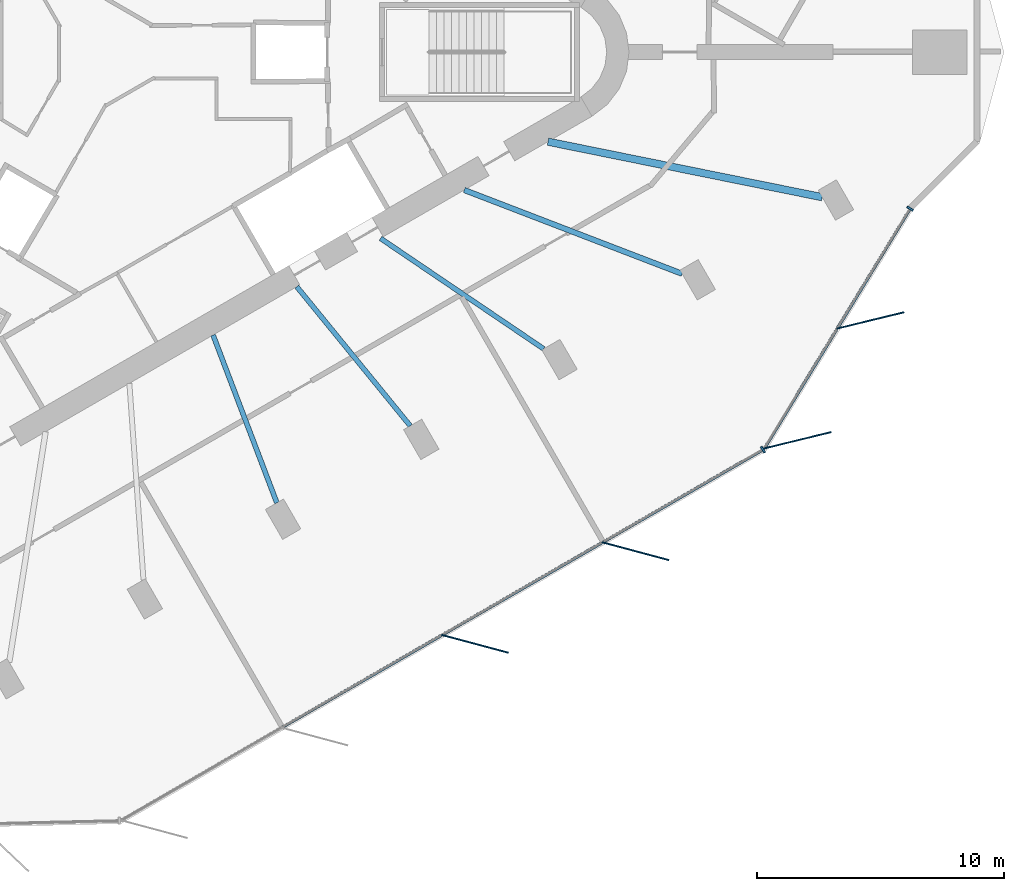
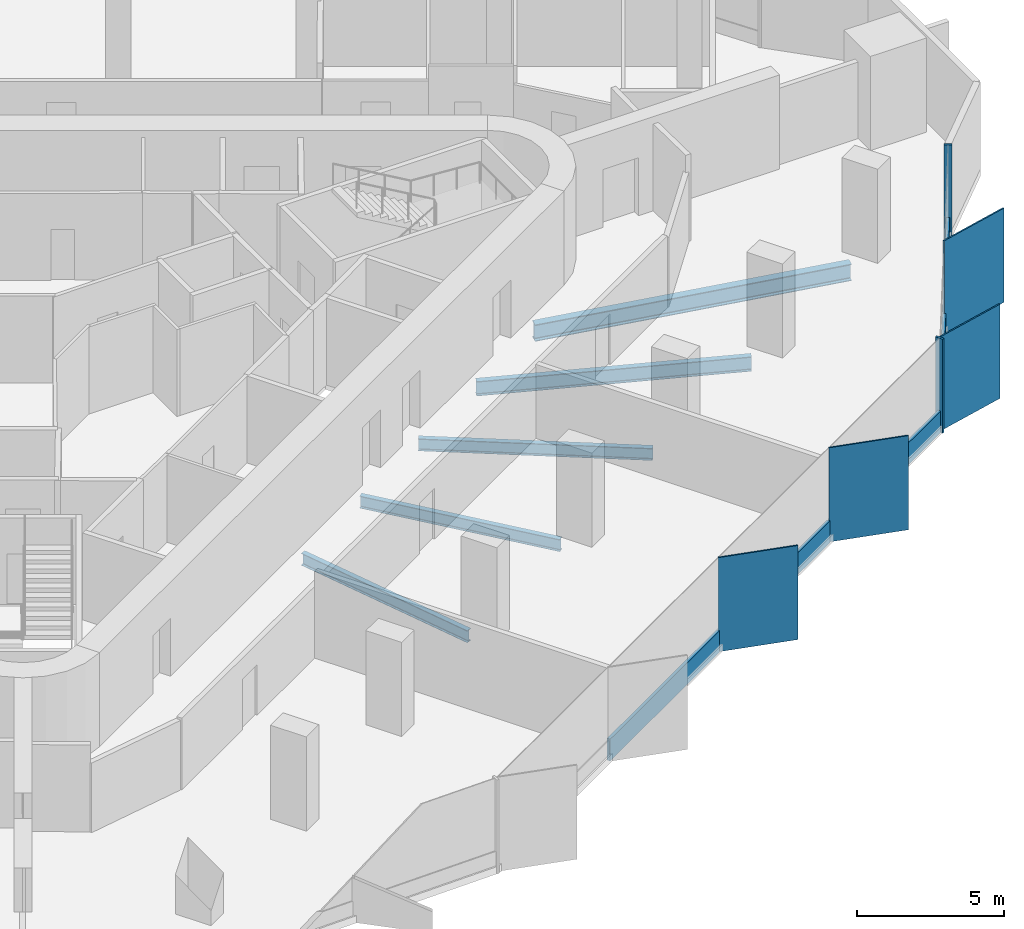
# One storey, part 3 of 12: 11 members, 5 beams, 2 elements without a shape of their own.
"""IFC4 building model written with IfcOpenShell, lengths in metres."""

from ifc_helpers import new_model, si_unit, direction, frame, origin, origin_2d, place, context, subcontext, project, spatial, rectangle, i_section, extrude, material, material_profile, profile_set, type_object, element, aggregate, save


model = new_model("IFC4")

# Units and contexts
model_context = context("Model", 3, precision=1e-05, world=origin(), true_north=direction((0.0, 1.0)))
body_context = subcontext(model_context, "Body", "Model", "MODEL_VIEW")
ifc_project = project(units=[si_unit("LENGTHUNIT", "METRE"), si_unit("AREAUNIT", "SQUARE_METRE"), si_unit("VOLUMEUNIT", "CUBIC_METRE"), si_unit("PLANEANGLEUNIT", "RADIAN"), si_unit("MASSUNIT", "GRAM", prefix="KILO")], contexts=[model_context])

# Site, building, storey
site_placement = place(None, origin())
site = spatial("IfcSite", under=ifc_project, at=site_placement, CompositionType="ELEMENT")
building_placement = place(site_placement, origin())
building = spatial("IfcBuilding", under=site, at=building_placement, Name="Tanit Gate Tower", CompositionType="ELEMENT")
storey_placement = place(building_placement, frame((0.0, 0.0, 341.60009765625)))
storey = spatial("IfcBuildingStorey", under=building, at=storey_placement, Name="L77", CompositionType="ELEMENT", Elevation=341.60009765625)

# Curtain wall, members
ifc_material_1 = material(Name="Aluminium bronze anodised and glass", Category="aluminium")
curtain_wall_type = type_object("IfcCurtainWallType", Name="Curtain wall typical high", PredefinedType="NOTDEFINED", material=ifc_material_1)
curtain_wall_1_placement = place(storey_placement, origin())
curtain_wall_1 = element("IfcCurtainWall", 1, at=curtain_wall_1_placement, inside=storey, type_object=curtain_wall_type, Name="Curtain wall L77 SE2", PredefinedType="NOTDEFINED")
ifc_material_2 = material(Name="Aluminium bronze anodised", Category="aluminium")
ifc_material_profile_1 = material_profile(ifc_material_2, rectangle(XDim=2.800048828125, YDim=0.055908203125, at=origin_2d()), Name="56x2800 bronze fin mullion")
ifc_profile_set_1 = profile_set([ifc_material_profile_1], Name="Aluminium bronze anodised")
member_type_1 = type_object("IfcMemberType", Name="FIN MULLION 56x2800 bronze", PredefinedType="MULLION", material=ifc_profile_set_1)
member_1_placement = place(storey_placement, frame((14.9619140625, -23.963134765625, -0.300048828125), z_axis=(0.0, 0.0, 1.0), x_axis=(-0.965907877772, 0.258886020591, 0.0)))
member_1 = element("IfcMember", 2, at=member_1_placement, type_object=member_type_1, Name="Fin mullion L77 SE2.3", PredefinedType="MULLION", context=body_context, shape_type="SweptSolid", body=[
    extrude(rectangle(XDim=2.800048828125, YDim=0.055908203125, at=origin_2d()), origin(), (0.0, 0.0, 1.0), 3.89990234375),
])
member_2_placement = place(storey_placement, frame((21.4609375, -20.211669921875, -0.300048828125), z_axis=(0.0, 0.0, 1.0), x_axis=(-0.965907877772, 0.258886020591, 0.0)))
member_2 = element("IfcMember", 3, at=member_2_placement, type_object=member_type_1, Name="Fin mullion L77 SE2.4", PredefinedType="MULLION", context=body_context, shape_type="SweptSolid", body=[
    extrude(rectangle(XDim=2.800048828125, YDim=0.055908203125, at=origin_2d()), origin(), (0.0, 0.0, 1.0), 3.89990234375),
])

curtain_wall_2_placement = place(storey_placement, origin())
curtain_wall_2 = element("IfcCurtainWall", 4, at=curtain_wall_2_placement, inside=storey, type_object=curtain_wall_type, Name="Curtain wall L77 SE3", PredefinedType="NOTDEFINED")
member_3_placement = place(storey_placement, frame((28.023193359375, -15.721923828125, -0.300048828125), z_axis=(0.0, 0.0, 1.0), x_axis=(-0.971594708401, -0.236651056638, 0.0)))
member_3 = element("IfcMember", 5, at=member_3_placement, type_object=member_type_1, Name="Fin mullion L77 SE3.1", PredefinedType="MULLION", context=body_context, shape_type="SweptSolid", body=[
    extrude(rectangle(XDim=2.800048828125, YDim=0.055908203125, at=origin_2d()), origin(), (0.0, 0.0, 1.0), 3.89990234375),
])
member_4_placement = place(storey_placement, frame((30.9755859375, -10.867919921875, -0.300048828125), z_axis=(0.0, 0.0, 1.0), x_axis=(-0.971594708401, -0.236651056638, 0.0)))
member_4 = element("IfcMember", 6, at=member_4_placement, type_object=member_type_1, Name="Fin mullion L77 SE3.2", PredefinedType="MULLION", context=body_context, shape_type="SweptSolid", body=[
    extrude(rectangle(XDim=2.800048828125, YDim=0.055908203125, at=origin_2d()), origin(), (0.0, 0.0, 1.0), 3.89990234375),
])

# Member
ifc_material_3 = material(Name="Aluminium bronze anodised", Category="aluminium")
ifc_material_profile_2 = material_profile(ifc_material_3, rectangle(XDim=0.280029296875, YDim=0.080078125, at=origin_2d()), Name="80x280 bronze mullion")
ifc_profile_set_2 = profile_set([ifc_material_profile_2], Name="Aluminium bronze anodised")
member_type_2 = type_object("IfcMemberType", Name="Mullion 80x280 typical high", PredefinedType="MULLION", material=ifc_profile_set_2)
member_5_placement = place(storey_placement, frame((26.626708984375, -16.102783203125, -0.300048828125), z_axis=(0.0, 0.0, 1.0), x_axis=(-0.49993994966, 0.866060071089, 0.0)))
member_5 = element("IfcMember", 7, at=member_5_placement, type_object=member_type_2, Name="Mullion L77 SE2.5", PredefinedType="MULLION", context=body_context, shape_type="SweptSolid", body=[
    extrude(rectangle(XDim=0.280029296875, YDim=0.080078125, at=origin_2d()), origin(), (0.0, 0.0, 1.0), 3.89990234375),
])

member_6_placement = place(storey_placement, frame((32.587158203125, -6.340576171875, -0.300048828125), z_axis=(0.0, 0.0, 1.0), x_axis=(-0.854358773799, 0.519683639951, 0.0)))
member_6 = element("IfcMember", 8, at=member_6_placement, type_object=member_type_2, Name="Mullion L77 SE3.3", PredefinedType="MULLION", context=body_context, shape_type="SweptSolid", body=[
    extrude(rectangle(XDim=0.280029296875, YDim=0.080078125, at=origin_2d()), origin(), (0.0, 0.0, 1.0), 3.89990234375),
])

# Beams
ifc_material_4 = material(Name="Steel S355", Category="steel")
ifc_material_profile_3 = material_profile(ifc_material_4, i_section(OverallWidth=0.300048828125, OverallDepth=0.68994140625, WebThickness=0.014404296875, FlangeThickness=0.027099609375, FilletRadius=0.027099609375, at=origin_2d()), Name="HEA 700")
ifc_profile_set_3 = profile_set([ifc_material_profile_3], Name="Steel S355")
beam_type_1 = type_object("IfcBeamType", Name="RADIAL GIRDER HEA 700 S355", PredefinedType="BEAM", material=ifc_profile_set_3)
beam_1_placement = place(storey_placement, frame((29.02587890625, -5.876953125, -0.64501953125), z_axis=(-0.980109678628, 0.198456589357, 0.0), x_axis=(-0.198456589357, -0.980109678628, 0.0)))
element("IfcBeam", 9, at=beam_1_placement, inside=storey, type_object=beam_type_1, Name="RADIAL GIRDER", PredefinedType="BEAM", context=body_context, shape_type="SweptSolid", body=[
    extrude(i_section(OverallWidth=0.300048828125, OverallDepth=0.68994140625, WebThickness=0.014404296875, FlangeThickness=0.027099609375, FilletRadius=0.027099609375, at=origin_2d()), origin(), (0.0, 0.0, 1.0), 11.331298828125),
])
ifc_material_5 = material(Name="Steel S355", Category="steel")
ifc_material_profile_4 = material_profile(ifc_material_5, i_section(OverallWidth=0.199951171875, OverallDepth=0.5, WebThickness=0.01025390625, FlangeThickness=0.01611328125, FilletRadius=0.02099609375, at=origin_2d()), Name="IPE 500")
ifc_profile_set_4 = profile_set([ifc_material_profile_4], Name="Steel S355")
beam_type_2 = type_object("IfcBeamType", Name="RADIAL GIRDER IPE 500 S355", PredefinedType="BEAM", material=ifc_profile_set_4)
for number, where, z_axis, x_axis, name in (
    (10, (6.93798828125, -18.25439453125, -0.550048828125), (-0.355282914481, 0.934758819524, 0.0), (-0.934758819524, -0.355282914481, 0.0), "RADIAL GIRDER"),
    (11, (12.339599609375, -15.135498046875, -0.550048828125), (-0.631881514108, 0.775064998648, 0.0), (-0.775064998648, -0.631881514108, 0.0), "RADIAL GIRDER"),
):
    element("IfcBeam", number, at=place(storey_placement, frame(where, z_axis=z_axis, x_axis=x_axis)), inside=storey, type_object=beam_type_2, Name=name, PredefinedType="BEAM", context=body_context, shape_type="SweptSolid", body=[
        extrude(i_section(OverallWidth=0.199951171875, OverallDepth=0.5, WebThickness=0.01025390625, FlangeThickness=0.01611328125, FilletRadius=0.02099609375, at=origin_2d()), origin(), (0.0, 0.0, 1.0), 7.268798828125),
    ])
beam_2_placement = place(storey_placement, frame((17.741455078125, -12.016845703125, -0.550048828125), z_axis=(-0.827954450749, 0.560795352589, 0.0), x_axis=(-0.560795352589, -0.827954450749, 0.0)))
element("IfcBeam", 12, at=beam_2_placement, inside=storey, type_object=beam_type_2, Name="RADIAL GIRDER", PredefinedType="BEAM", context=body_context, shape_type="SweptSolid", body=[
    extrude(i_section(OverallWidth=0.199951171875, OverallDepth=0.5, WebThickness=0.01025390625, FlangeThickness=0.01611328125, FilletRadius=0.02099609375, at=origin_2d()), origin(), (0.0, 0.0, 1.0), 7.97607421875),
])
ifc_material_6 = material(Name="Steel S355", Category="steel")
ifc_material_profile_5 = material_profile(ifc_material_6, i_section(OverallWidth=0.219970703125, OverallDepth=0.60009765625, WebThickness=0.011962890625, FlangeThickness=0.01904296875, FilletRadius=0.02392578125, at=origin_2d()), Name="IPE 600")
ifc_profile_set_5 = profile_set([ifc_material_profile_5], Name="Steel S355")
beam_type_3 = type_object("IfcBeamType", Name="RADIAL GIRDER IPE 600 S355", PredefinedType="BEAM", material=ifc_profile_set_5)
beam_3_placement = place(storey_placement, frame((23.352783203125, -8.978759765625, -0.60009765625), z_axis=(-0.933390193585, 0.358863130622, 0.0), x_axis=(-0.358863130622, -0.933390193585, 0.0)))
element("IfcBeam", 13, at=beam_3_placement, inside=storey, type_object=beam_type_3, Name="RADIAL GIRDER", PredefinedType="BEAM", context=body_context, shape_type="SweptSolid", body=[
    extrude(i_section(OverallWidth=0.219970703125, OverallDepth=0.60009765625, WebThickness=0.011962890625, FlangeThickness=0.01904296875, FilletRadius=0.02392578125, at=origin_2d()), origin(), (0.0, 0.0, 1.0), 9.45361328125),
])

# Member
ifc_material_7 = material(Name="Aluminium bronze anodised", Category="aluminium")
ifc_material_profile_6 = material_profile(ifc_material_7, rectangle(XDim=0.1201171875, YDim=0.89990234375, at=origin_2d()), Name="120x900 bronze transom")
ifc_profile_set_6 = profile_set([ifc_material_profile_6], Name="Aluminium bronze anodised")
member_type_3 = type_object("IfcMemberType", Name="Transom 120x900 typical high", PredefinedType="USERDEFINED", material=ifc_profile_set_6)
member_7_placement = place(storey_placement, frame((7.16455078125, -27.33740234375, 0.14990234375), z_axis=(0.866069496621, 0.499923621189, 0.0), x_axis=(-0.499923621189, 0.866069496621, 0.0)))
member_7 = element("IfcMember", 14, at=member_7_placement, type_object=member_type_3, Name="Transom L77 SE2.2", ObjectType="TRANSOM", PredefinedType="USERDEFINED", context=body_context, shape_type="SweptSolid", body=[
    extrude(rectangle(XDim=0.1201171875, YDim=0.89990234375, at=origin_2d()), origin(), (0.0, 0.0, 1.0), 7.424072265625),
])

member_8_placement = place(storey_placement, frame((13.66357421875, -23.5859375, 0.14990234375), z_axis=(0.866047038303, 0.499962526042, 0.0), x_axis=(-0.499962526042, 0.866047038303, 0.0)))
member_8 = element("IfcMember", 15, at=member_8_placement, type_object=member_type_3, Name="Transom L77 SE2.3", ObjectType="TRANSOM", PredefinedType="USERDEFINED", context=body_context, shape_type="SweptSolid", body=[
    extrude(rectangle(XDim=0.1201171875, YDim=0.89990234375, at=origin_2d()), origin(), (0.0, 0.0, 1.0), 7.423828125),
])

member_9_placement = place(storey_placement, frame((20.162353515625, -19.834228515625, 0.14990234375), z_axis=(0.866069496621, 0.499923621189, 0.0), x_axis=(-0.499923621189, 0.866069496621, 0.0)))
member_9 = element("IfcMember", 16, at=member_9_placement, type_object=member_type_3, Name="Transom L77 SE2.4", ObjectType="TRANSOM", PredefinedType="USERDEFINED", context=body_context, shape_type="SweptSolid", body=[
    extrude(rectangle(XDim=0.1201171875, YDim=0.89990234375, at=origin_2d()), origin(), (0.0, 0.0, 1.0), 7.424072265625),
])

aggregate(curtain_wall_1, [member_1, member_2, member_5, member_7, member_8, member_9])

member_10_placement = place(storey_placement, frame((26.702880859375, -16.014404296875, 0.14990234375), z_axis=(0.51970357306, 0.854346648702, 0.0), x_axis=(-0.854346648702, 0.51970357306, 0.0)))
member_10 = element("IfcMember", 17, at=member_10_placement, type_object=member_type_3, Name="Transom L77 SE3.1", ObjectType="TRANSOM", PredefinedType="USERDEFINED", context=body_context, shape_type="SweptSolid", body=[
    extrude(rectangle(XDim=0.1201171875, YDim=0.89990234375, at=origin_2d()), origin(), (0.0, 0.0, 1.0), 5.6015625),
])

member_11_placement = place(storey_placement, frame((29.655517578125, -11.160400390625, 0.14990234375), z_axis=(0.519671759173, 0.854366000446, 0.0), x_axis=(-0.854366000446, 0.519671759173, 0.0)))
member_11 = element("IfcMember", 18, at=member_11_placement, type_object=member_type_3, Name="Transom L77 SE3.2", ObjectType="TRANSOM", PredefinedType="USERDEFINED", context=body_context, shape_type="SweptSolid", body=[
    extrude(rectangle(XDim=0.1201171875, YDim=0.89990234375, at=origin_2d()), origin(), (0.0, 0.0, 1.0), 5.601318359375),
])

aggregate(curtain_wall_2, [member_3, member_4, member_6, member_10, member_11])

save(model, "model.ifc")
